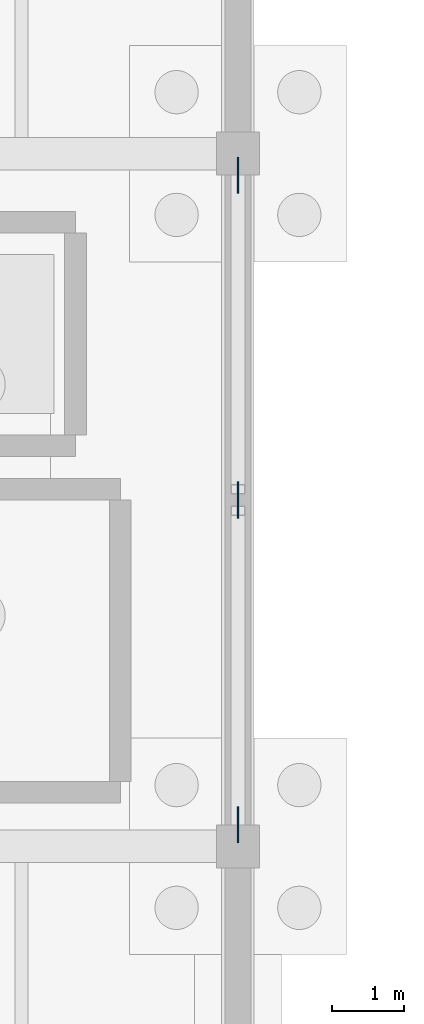
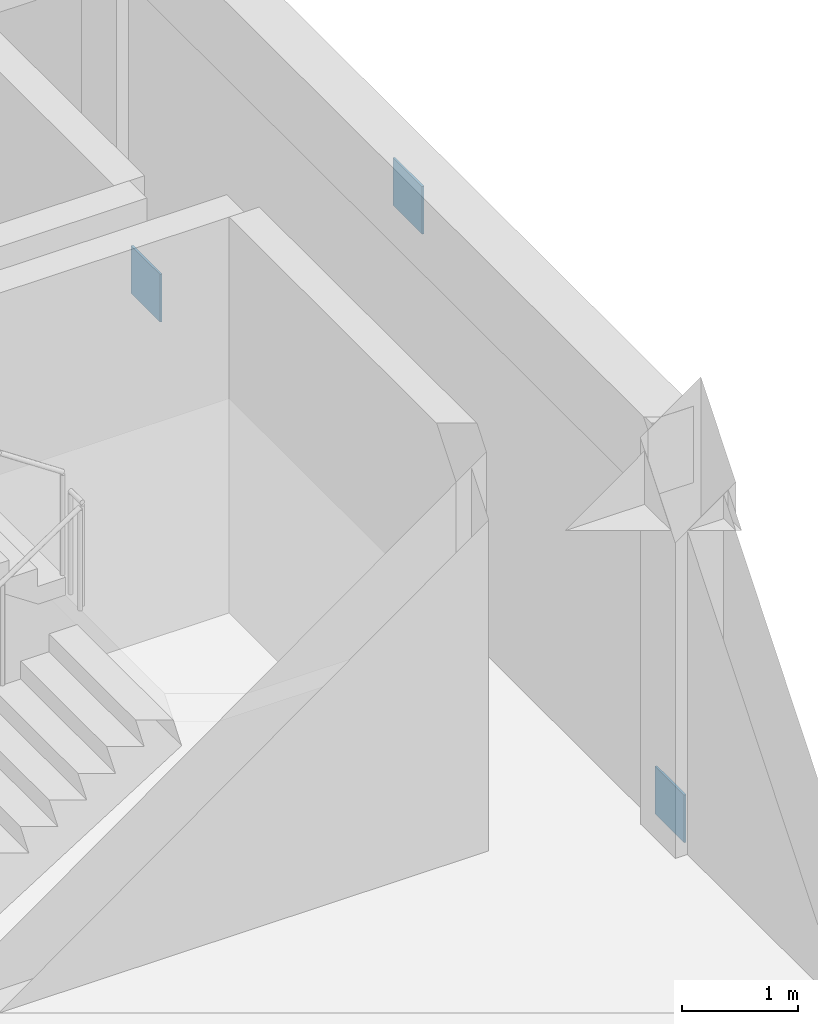
# One storey, part 8 of 20: 3 plates.
"""IFC4 building model written with IfcOpenShell, lengths in metres."""

from ifc_helpers import new_model, si_unit, direction, frame, origin, origin_2d, place, context, subcontext, project, spatial, rectangle, extrude, material, layer, layer_set, type_object, element, save


model = new_model("IFC4")

# Units and contexts
model_context = context("Model", 3, precision=1e-05, world=origin(), true_north=direction((0.0, 1.0)))
body_context = subcontext(model_context, "Body", "Model", "MODEL_VIEW")
ifc_project = project(units=[si_unit("LENGTHUNIT", "METRE"), si_unit("AREAUNIT", "SQUARE_METRE"), si_unit("VOLUMEUNIT", "CUBIC_METRE"), si_unit("PLANEANGLEUNIT", "RADIAN"), si_unit("MASSUNIT", "GRAM", prefix="KILO")], contexts=[model_context])

# Site, building, storey
site_placement = place(None, origin())
site = spatial("IfcSite", under=ifc_project, at=site_placement, CompositionType="ELEMENT")
building_placement = place(site_placement, origin())
building = spatial("IfcBuilding", under=site, at=building_placement, Name="Pandanus Reach Market Hall", CompositionType="ELEMENT")
storey_placement = place(building_placement, frame((0.0, 0.0, -4.5)))
storey = spatial("IfcBuildingStorey", under=building, at=storey_placement, Name="B1", CompositionType="ELEMENT", Elevation=-4.5)

# Plates
ifc_material = material(Name="Steel Grade 350 (350 MPa)", Category="steel")
ifc_layer = layer(ifc_material, 0.02001953125, Name="GS-PL20")
ifc_layer_set = layer_set([ifc_layer], Name="Steel Grade 350 (350 MPa)")
plate_type = type_object("IfcPlateType", Name="GS-PL20", PredefinedType="SHEET", material=ifc_layer_set)
for number, where, z_axis, x_axis, name in (
    (1, (180.0, 29.10009765625, -0.14990234375), (0.0, 0.0, 1.0), (0.0, 1.0, 0.0), "Brace gusset plate GS-PL20 3L"),
    (2, (180.0, 33.60009765625, 3.5), (0.0, 0.0, 1.0), (0.0, 1.0, 0.0), "Brace gusset plate GS-PL20 3M"),
    (3, (180.0, 38.10009765625, -0.14990234375), (0.0, 0.0, 1.0), (0.0, 1.0, 0.0), "Brace gusset plate GS-PL20 3R"),
):
    element("IfcPlate", number, at=place(storey_placement, frame(where, z_axis=z_axis, x_axis=x_axis)), inside=storey, type_object=plate_type, Name=name, PredefinedType="SHEET", context=body_context, shape_type="SweptSolid", body=[
        extrude(rectangle(XDim=0.5, YDim=0.02001953125, at=origin_2d()), origin(), (0.0, 0.0, 1.0), 0.5),
    ])

save(model, "model.ifc")
